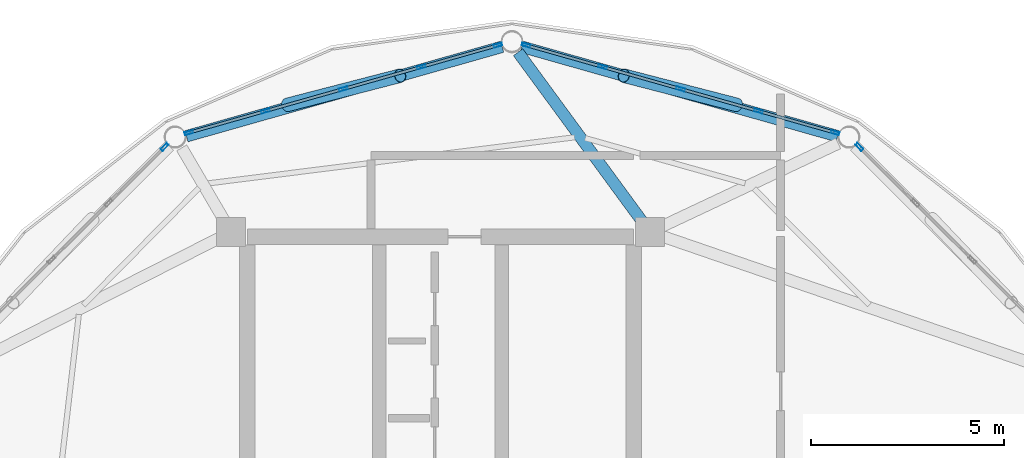
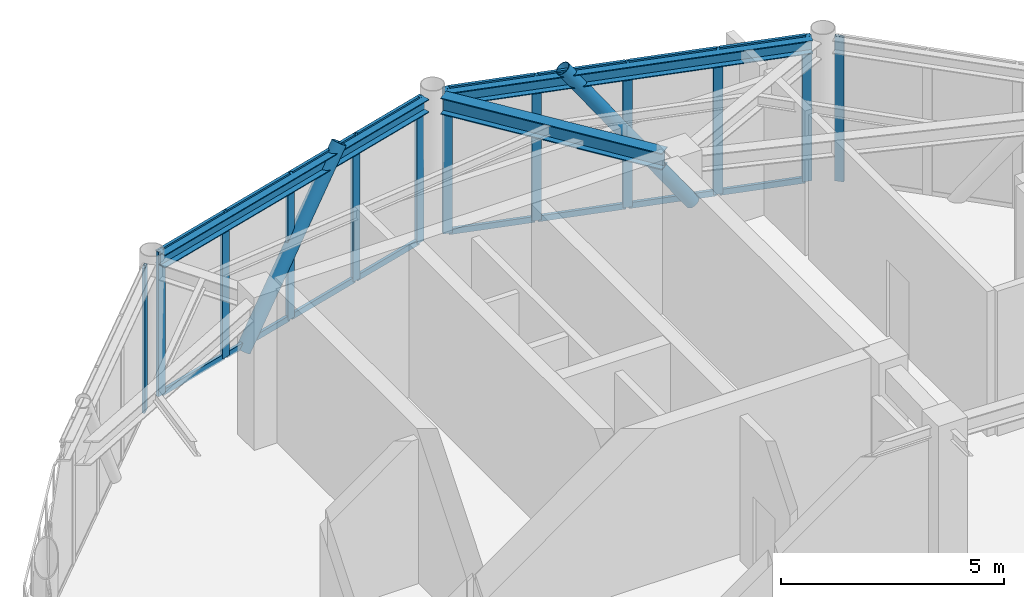
# One storey, part 15 of 21: 30 members, 3 beams, 4 elements without a shape of their own.
"""IFC4 building model written with IfcOpenShell, lengths in metres."""

from ifc_helpers import new_model, si_unit, direction, frame, origin, origin_2d, place, context, subcontext, project, spatial, hollow_rectangle, hollow_circle, i_section, extrude, material, layer, layer_set, material_profile, profile_set, type_object, element, aggregate, save


model = new_model("IFC4")

# Units and contexts
model_context = context("Model", 3, precision=1e-05, world=origin(), true_north=direction((0.0, 1.0)))
body_context = subcontext(model_context, "Body", "Model", "MODEL_VIEW")
ifc_project = project(units=[si_unit("LENGTHUNIT", "METRE"), si_unit("AREAUNIT", "SQUARE_METRE"), si_unit("VOLUMEUNIT", "CUBIC_METRE"), si_unit("PLANEANGLEUNIT", "RADIAN"), si_unit("MASSUNIT", "GRAM", prefix="KILO")], contexts=[model_context])

# Site, building, storey
site_placement = place(None, origin())
site = spatial("IfcSite", under=ifc_project, at=site_placement, CompositionType="ELEMENT")
building_placement = place(site_placement, origin())
building = spatial("IfcBuilding", under=site, at=building_placement, Name="Varnakorn Sky Granary", CompositionType="ELEMENT")
storey_placement = place(building_placement, frame((0.0, 0.0, 298.199951171875)))
storey = spatial("IfcBuildingStorey", under=building, at=storey_placement, Name="L76", CompositionType="ELEMENT", Elevation=298.199951171875)

# Beams
ifc_material_1 = material(Name="Steel S355JR", Category="steel")
ifc_material_profile_1 = material_profile(ifc_material_1, i_section(OverallWidth=0.300048828125, OverallDepth=0.449951171875, WebThickness=0.013916015625, FlangeThickness=0.02587890625, at=origin_2d()), Name="HE 450 B")
ifc_profile_set_1 = profile_set([ifc_material_profile_1], Name="Steel S355JR")
beam_type_1 = type_object("IfcBeamType", Name="BM-RAD-Z5", PredefinedType="BEAM", material=ifc_profile_set_1)
beam_placement = place(storey_placement, frame((8.2099609375, 12.90625, 3.735107421875), z_axis=(-0.591520006027, 0.806290321454, 0.0), x_axis=(-0.806290321454, -0.591520006027, 0.0)))
element("IfcBeam", 1, at=beam_placement, inside=storey, type_object=beam_type_1, Name="Radial Floor Girder RG04 L76", PredefinedType="BEAM", context=body_context, shape_type="SweptSolid", body=[
    extrude(i_section(OverallWidth=0.300048828125, OverallDepth=0.449951171875, WebThickness=0.013916015625, FlangeThickness=0.02587890625, at=origin_2d()), origin(), (0.0, 0.0, 1.0), 5.41552734375),
])
ifc_material_profile_2 = material_profile(ifc_material_1, i_section(OverallWidth=0.300048828125, OverallDepth=0.360107421875, WebThickness=0.012451171875, FlangeThickness=0.0224609375, at=origin_2d()), Name="HE 360 B")
ifc_profile_set_2 = profile_set([ifc_material_profile_2], Name="Steel S355JR")
beam_type_2 = type_object("IfcBeamType", Name="BM-SPD-Z5", PredefinedType="SPANDREL", material=ifc_profile_set_2)
for number, where, z_axis, x_axis, name in (
    (2, (13.2744140625, 15.098388671875, 3.780029296875), (-0.962107621006, 0.272669993952, 0.0), (-0.272669993952, -0.962107621006, 0.0), "Perimeter Spandrel Ring Beam RB03 L76"),
    (3, (4.595458984375, 17.413818359375, 3.780029296875), (-0.962107621006, -0.272669993952, 0.0), (0.272669993952, -0.962107621006, 0.0), "Perimeter Spandrel Ring Beam RB04 L76"),
):
    element("IfcBeam", number, at=place(storey_placement, frame(where, z_axis=z_axis, x_axis=x_axis)), inside=storey, type_object=beam_type_2, Name=name, PredefinedType="SPANDREL", context=body_context, shape_type="SweptSolid", body=[
        extrude(i_section(OverallWidth=0.300048828125, OverallDepth=0.360107421875, WebThickness=0.012451171875, FlangeThickness=0.0224609375, at=origin_2d()), origin(), (0.0, 0.0, 1.0), 8.49169921875),
    ])

# Curtain wall, member
ifc_material_2 = material(Name="Anodised Bronze Aluminium Alloy 6063-T6", Category="aluminium")
ifc_layer = layer(ifc_material_2, 0.22998046875, Name="Anodised Bronze Aluminium Alloy 6063-T6")
ifc_layer_set = layer_set([ifc_layer], Name="Anodised Bronze Aluminium Alloy 6063-T6")
curtain_wall_type = type_object("IfcCurtainWallType", Name="CW-LNT-1", PredefinedType="USERDEFINED", material=ifc_layer_set)
curtain_wall_1_placement = place(storey_placement, origin())
curtain_wall_1 = element("IfcCurtainWall", 4, at=curtain_wall_1_placement, inside=storey, type_object=curtain_wall_type, Name="Unitised Curtain Wall CW7 CW-L76-B02", ObjectType="CURTAIN WALL", PredefinedType="USERDEFINED")
ifc_material_profile_3 = material_profile(ifc_material_2, hollow_rectangle(XDim=0.074951171875, YDim=0.219970703125, WallThickness=0.00390625, at=origin_2d()), Name="ALU MULL 75x220")
ifc_profile_set_3 = profile_set([ifc_material_profile_3], Name="Anodised Bronze Aluminium Alloy 6063-T6")
member_type_1 = type_object("IfcMemberType", Name="CW-LNT-1-MULL", PredefinedType="MULLION", material=ifc_profile_set_3)
member_1_placement = place(storey_placement, frame((13.838623046875, 14.821533203125, 0.0), z_axis=(0.0, 0.0, 1.0), x_axis=(0.706663262546, 0.707550021813, 0.0)))
member_1 = element("IfcMember", 5, at=member_1_placement, type_object=member_type_1, Name="CW7 mullion 1", PredefinedType="MULLION", context=body_context, shape_type="SweptSolid", body=[
    extrude(hollow_rectangle(XDim=0.074951171875, YDim=0.219970703125, WallThickness=0.00390625, at=origin_2d()), origin(), (0.0, 0.0, 1.0), 3.9599609375),
])
aggregate(curtain_wall_1, [member_1])

# Curtain wall, members
curtain_wall_2_placement = place(storey_placement, origin())
curtain_wall_2 = element("IfcCurtainWall", 6, at=curtain_wall_2_placement, inside=storey, type_object=curtain_wall_type, Name="Unitised Curtain Wall CW7 CW-L76-B03", ObjectType="CURTAIN WALL", PredefinedType="USERDEFINED")
member_2_placement = place(storey_placement, frame((5.212890625, 17.454345703125, 0.0), z_axis=(0.0, 0.0, 1.0), x_axis=(0.272381418723, 0.962189359084, 0.0)))
member_2 = element("IfcMember", 7, at=member_2_placement, type_object=member_type_1, Name="CW7 mullion 1", PredefinedType="MULLION", context=body_context, shape_type="SweptSolid", body=[
    extrude(hollow_rectangle(XDim=0.074951171875, YDim=0.219970703125, WallThickness=0.00390625, at=origin_2d()), origin(), (0.0, 0.0, 1.0), 3.9599609375),
])
member_3_placement = place(storey_placement, frame((7.19384765625, 16.8935546875, 0.0), z_axis=(0.0, 0.0, 1.0), x_axis=(0.272381418723, 0.962189359084, 0.0)))
member_3 = element("IfcMember", 8, at=member_3_placement, type_object=member_type_1, Name="CW7 mullion 2", PredefinedType="MULLION", context=body_context, shape_type="SweptSolid", body=[
    extrude(hollow_rectangle(XDim=0.074951171875, YDim=0.219970703125, WallThickness=0.00390625, at=origin_2d()), origin(), (0.0, 0.0, 1.0), 3.9599609375),
])
member_4_placement = place(storey_placement, frame((9.2109375, 16.322509765625, 0.0), z_axis=(0.0, 0.0, 1.0), x_axis=(0.272381418723, 0.962189359084, 0.0)))
member_4 = element("IfcMember", 9, at=member_4_placement, type_object=member_type_1, Name="CW7 mullion 3", PredefinedType="MULLION", context=body_context, shape_type="SweptSolid", body=[
    extrude(hollow_rectangle(XDim=0.074951171875, YDim=0.219970703125, WallThickness=0.00390625, at=origin_2d()), origin(), (0.0, 0.0, 1.0), 3.9599609375),
])
member_5_placement = place(storey_placement, frame((11.228271484375, 15.75146484375, 0.0), z_axis=(0.0, 0.0, 1.0), x_axis=(0.272381418723, 0.962189359084, 0.0)))
member_5 = element("IfcMember", 10, at=member_5_placement, type_object=member_type_1, Name="CW7 mullion 4", PredefinedType="MULLION", context=body_context, shape_type="SweptSolid", body=[
    extrude(hollow_rectangle(XDim=0.074951171875, YDim=0.219970703125, WallThickness=0.00390625, at=origin_2d()), origin(), (0.0, 0.0, 1.0), 3.9599609375),
])
member_6_placement = place(storey_placement, frame((13.209228515625, 15.190673828125, 0.0), z_axis=(0.0, 0.0, 1.0), x_axis=(0.272381418723, 0.962189359084, 0.0)))
member_6 = element("IfcMember", 11, at=member_6_placement, type_object=member_type_1, Name="CW7 mullion 5", PredefinedType="MULLION", context=body_context, shape_type="SweptSolid", body=[
    extrude(hollow_rectangle(XDim=0.074951171875, YDim=0.219970703125, WallThickness=0.00390625, at=origin_2d()), origin(), (0.0, 0.0, 1.0), 3.9599609375),
])

curtain_wall_3_placement = place(storey_placement, origin())
curtain_wall_3 = element("IfcCurtainWall", 12, at=curtain_wall_3_placement, inside=storey, type_object=curtain_wall_type, Name="Unitised Curtain Wall CW7 CW-L76-B04", ObjectType="CURTAIN WALL", PredefinedType="USERDEFINED")
member_7_placement = place(storey_placement, frame((-3.50927734375, 15.190673828125, 0.0), z_axis=(0.0, 0.0, 1.0), x_axis=(-0.272381418723, 0.962189359084, 0.0)))
member_7 = element("IfcMember", 13, at=member_7_placement, type_object=member_type_1, Name="CW7 mullion 1", PredefinedType="MULLION", context=body_context, shape_type="SweptSolid", body=[
    extrude(hollow_rectangle(XDim=0.074951171875, YDim=0.219970703125, WallThickness=0.00390625, at=origin_2d()), origin(), (0.0, 0.0, 1.0), 3.9599609375),
])
member_8_placement = place(storey_placement, frame((-1.528076171875, 15.75146484375, 0.0), z_axis=(0.0, 0.0, 1.0), x_axis=(-0.272381418723, 0.962189359084, 0.0)))
member_8 = element("IfcMember", 14, at=member_8_placement, type_object=member_type_1, Name="CW7 mullion 2", PredefinedType="MULLION", context=body_context, shape_type="SweptSolid", body=[
    extrude(hollow_rectangle(XDim=0.074951171875, YDim=0.219970703125, WallThickness=0.00390625, at=origin_2d()), origin(), (0.0, 0.0, 1.0), 3.9599609375),
])
member_9_placement = place(storey_placement, frame((0.489013671875, 16.322509765625, 0.0), z_axis=(0.0, 0.0, 1.0), x_axis=(-0.272381418723, 0.962189359084, 0.0)))
member_9 = element("IfcMember", 15, at=member_9_placement, type_object=member_type_1, Name="CW7 mullion 3", PredefinedType="MULLION", context=body_context, shape_type="SweptSolid", body=[
    extrude(hollow_rectangle(XDim=0.074951171875, YDim=0.219970703125, WallThickness=0.00390625, at=origin_2d()), origin(), (0.0, 0.0, 1.0), 3.9599609375),
])
member_10_placement = place(storey_placement, frame((2.506103515625, 16.8935546875, 0.0), z_axis=(0.0, 0.0, 1.0), x_axis=(-0.272381418723, 0.962189359084, 0.0)))
member_10 = element("IfcMember", 16, at=member_10_placement, type_object=member_type_1, Name="CW7 mullion 4", PredefinedType="MULLION", context=body_context, shape_type="SweptSolid", body=[
    extrude(hollow_rectangle(XDim=0.074951171875, YDim=0.219970703125, WallThickness=0.00390625, at=origin_2d()), origin(), (0.0, 0.0, 1.0), 3.9599609375),
])
member_11_placement = place(storey_placement, frame((4.4873046875, 17.454345703125, 0.0), z_axis=(0.0, 0.0, 1.0), x_axis=(-0.272381418723, 0.962189359084, 0.0)))
member_11 = element("IfcMember", 17, at=member_11_placement, type_object=member_type_1, Name="CW7 mullion 5", PredefinedType="MULLION", context=body_context, shape_type="SweptSolid", body=[
    extrude(hollow_rectangle(XDim=0.074951171875, YDim=0.219970703125, WallThickness=0.00390625, at=origin_2d()), origin(), (0.0, 0.0, 1.0), 3.9599609375),
])

# Curtain wall, member
curtain_wall_4_placement = place(storey_placement, origin())
curtain_wall_4 = element("IfcCurtainWall", 18, at=curtain_wall_4_placement, inside=storey, type_object=curtain_wall_type, Name="Unitised Curtain Wall CW7 CW-L76-B05", ObjectType="CURTAIN WALL", PredefinedType="USERDEFINED")
member_12_placement = place(storey_placement, frame((-4.138671875, 14.821533203125, 0.0), z_axis=(0.0, 0.0, 1.0), x_axis=(-0.706663262546, 0.707550021813, 0.0)))
member_12 = element("IfcMember", 19, at=member_12_placement, type_object=member_type_1, Name="CW7 mullion 5", PredefinedType="MULLION", context=body_context, shape_type="SweptSolid", body=[
    extrude(hollow_rectangle(XDim=0.074951171875, YDim=0.219970703125, WallThickness=0.00390625, at=origin_2d()), origin(), (0.0, 0.0, 1.0), 3.9599609375),
])
aggregate(curtain_wall_4, [member_12])

# Member
ifc_material_profile_4 = material_profile(ifc_material_2, hollow_rectangle(XDim=0.074951171875, YDim=0.159912109375, WallThickness=0.00390625, at=origin_2d()), Name="ALU TRAN 75x160")
ifc_profile_set_4 = profile_set([ifc_material_profile_4], Name="Anodised Bronze Aluminium Alloy 6063-T6")
member_type_2 = type_object("IfcMemberType", Name="CW-LNT-1-TRAN", PredefinedType="USERDEFINED", material=ifc_profile_set_4)
member_13_placement = place(storey_placement, frame((5.248779296875, 17.444091796875, 0.03759765625), z_axis=(0.962203612173, -0.272331064553, 0.0), x_axis=(0.272331064553, 0.962203612173, 0.0)))
member_13 = element("IfcMember", 20, at=member_13_placement, type_object=member_type_2, Name="CW7 transom 1.1", ObjectType="TRANSOM", PredefinedType="USERDEFINED", context=body_context, shape_type="SweptSolid", body=[
    extrude(hollow_rectangle(XDim=0.074951171875, YDim=0.159912109375, WallThickness=0.00390625, at=origin_2d()), origin(), (0.0, 0.0, 1.0), 1.98388671875),
])

member_14_placement = place(storey_placement, frame((5.248779296875, 17.444091796875, 3.922607421875), z_axis=(0.962203612173, -0.272331064553, 0.0), x_axis=(0.272331064553, 0.962203612173, 0.0)))
member_14 = element("IfcMember", 21, at=member_14_placement, type_object=member_type_2, Name="CW7 transom 1.2", ObjectType="TRANSOM", PredefinedType="USERDEFINED", context=body_context, shape_type="SweptSolid", body=[
    extrude(hollow_rectangle(XDim=0.074951171875, YDim=0.159912109375, WallThickness=0.00390625, at=origin_2d()), origin(), (0.0, 0.0, 1.0), 1.98388671875),
])

member_15_placement = place(storey_placement, frame((7.22998046875, 16.88330078125, 0.03759765625), z_axis=(0.962191115172, -0.272375215254, 0.0), x_axis=(0.272375215254, 0.962191115172, 0.0)))
member_15 = element("IfcMember", 22, at=member_15_placement, type_object=member_type_2, Name="CW7 transom 2.1", ObjectType="TRANSOM", PredefinedType="USERDEFINED", context=body_context, shape_type="SweptSolid", body=[
    extrude(hollow_rectangle(XDim=0.074951171875, YDim=0.159912109375, WallThickness=0.00390625, at=origin_2d()), origin(), (0.0, 0.0, 1.0), 2.021240234375),
])

member_16_placement = place(storey_placement, frame((7.22998046875, 16.88330078125, 3.922607421875), z_axis=(0.962191115172, -0.272375215254, 0.0), x_axis=(0.272375215254, 0.962191115172, 0.0)))
member_16 = element("IfcMember", 23, at=member_16_placement, type_object=member_type_2, Name="CW7 transom 2.2", ObjectType="TRANSOM", PredefinedType="USERDEFINED", context=body_context, shape_type="SweptSolid", body=[
    extrude(hollow_rectangle(XDim=0.074951171875, YDim=0.159912109375, WallThickness=0.00390625, at=origin_2d()), origin(), (0.0, 0.0, 1.0), 2.021240234375),
])

member_17_placement = place(storey_placement, frame((9.2470703125, 16.312255859375, 0.03759765625), z_axis=(0.962200074604, -0.272343563227, 0.0), x_axis=(0.272343563227, 0.962200074604, 0.0)))
member_17 = element("IfcMember", 24, at=member_17_placement, type_object=member_type_2, Name="CW7 transom 3.1", ObjectType="TRANSOM", PredefinedType="USERDEFINED", context=body_context, shape_type="SweptSolid", body=[
    extrude(hollow_rectangle(XDim=0.074951171875, YDim=0.159912109375, WallThickness=0.00390625, at=origin_2d()), origin(), (0.0, 0.0, 1.0), 2.021484375),
])

member_18_placement = place(storey_placement, frame((9.2470703125, 16.312255859375, 3.922607421875), z_axis=(0.962200074604, -0.272343563227, 0.0), x_axis=(0.272343563227, 0.962200074604, 0.0)))
member_18 = element("IfcMember", 25, at=member_18_placement, type_object=member_type_2, Name="CW7 transom 3.2", ObjectType="TRANSOM", PredefinedType="USERDEFINED", context=body_context, shape_type="SweptSolid", body=[
    extrude(hollow_rectangle(XDim=0.074951171875, YDim=0.159912109375, WallThickness=0.00390625, at=origin_2d()), origin(), (0.0, 0.0, 1.0), 2.021484375),
])

member_19_placement = place(storey_placement, frame((11.26416015625, 15.7412109375, 0.03759765625), z_axis=(0.962203612173, -0.272331064553, 0.0), x_axis=(0.272331064553, 0.962203612173, 0.0)))
member_19 = element("IfcMember", 26, at=member_19_placement, type_object=member_type_2, Name="CW7 transom 4.1", ObjectType="TRANSOM", PredefinedType="USERDEFINED", context=body_context, shape_type="SweptSolid", body=[
    extrude(hollow_rectangle(XDim=0.074951171875, YDim=0.159912109375, WallThickness=0.00390625, at=origin_2d()), origin(), (0.0, 0.0, 1.0), 1.98388671875),
])

member_20_placement = place(storey_placement, frame((11.26416015625, 15.7412109375, 3.922607421875), z_axis=(0.962203612173, -0.272331064553, 0.0), x_axis=(0.272331064553, 0.962203612173, 0.0)))
member_20 = element("IfcMember", 27, at=member_20_placement, type_object=member_type_2, Name="CW7 transom 4.2", ObjectType="TRANSOM", PredefinedType="USERDEFINED", context=body_context, shape_type="SweptSolid", body=[
    extrude(hollow_rectangle(XDim=0.074951171875, YDim=0.159912109375, WallThickness=0.00390625, at=origin_2d()), origin(), (0.0, 0.0, 1.0), 1.98388671875),
])

aggregate(curtain_wall_2, [member_2, member_3, member_4, member_5, member_6, member_13, member_14, member_15, member_16, member_17, member_18, member_19, member_20])

member_21_placement = place(storey_placement, frame((-3.47314453125, 15.200927734375, 0.03759765625), z_axis=(0.962203612173, 0.272331064553, 0.0), x_axis=(-0.272331064553, 0.962203612173, 0.0)))
member_21 = element("IfcMember", 28, at=member_21_placement, type_object=member_type_2, Name="CW7 transom 1.1", ObjectType="TRANSOM", PredefinedType="USERDEFINED", context=body_context, shape_type="SweptSolid", body=[
    extrude(hollow_rectangle(XDim=0.074951171875, YDim=0.159912109375, WallThickness=0.00390625, at=origin_2d()), origin(), (0.0, 0.0, 1.0), 1.98388671875),
])

member_22_placement = place(storey_placement, frame((-3.47314453125, 15.200927734375, 3.922607421875), z_axis=(0.962203612173, 0.272331064553, 0.0), x_axis=(-0.272331064553, 0.962203612173, 0.0)))
member_22 = element("IfcMember", 29, at=member_22_placement, type_object=member_type_2, Name="CW7 transom 1.2", ObjectType="TRANSOM", PredefinedType="USERDEFINED", context=body_context, shape_type="SweptSolid", body=[
    extrude(hollow_rectangle(XDim=0.074951171875, YDim=0.159912109375, WallThickness=0.00390625, at=origin_2d()), origin(), (0.0, 0.0, 1.0), 1.98388671875),
])

member_23_placement = place(storey_placement, frame((-1.4921875, 15.76171875, 0.03759765625), z_axis=(0.962200074604, 0.272343563227, 0.0), x_axis=(-0.272343563227, 0.962200074604, 0.0)))
member_23 = element("IfcMember", 30, at=member_23_placement, type_object=member_type_2, Name="CW7 transom 2.1", ObjectType="TRANSOM", PredefinedType="USERDEFINED", context=body_context, shape_type="SweptSolid", body=[
    extrude(hollow_rectangle(XDim=0.074951171875, YDim=0.159912109375, WallThickness=0.00390625, at=origin_2d()), origin(), (0.0, 0.0, 1.0), 2.021484375),
])

member_24_placement = place(storey_placement, frame((-1.4921875, 15.76171875, 3.922607421875), z_axis=(0.962200074604, 0.272343563227, 0.0), x_axis=(-0.272343563227, 0.962200074604, 0.0)))
member_24 = element("IfcMember", 31, at=member_24_placement, type_object=member_type_2, Name="CW7 transom 2.2", ObjectType="TRANSOM", PredefinedType="USERDEFINED", context=body_context, shape_type="SweptSolid", body=[
    extrude(hollow_rectangle(XDim=0.074951171875, YDim=0.159912109375, WallThickness=0.00390625, at=origin_2d()), origin(), (0.0, 0.0, 1.0), 2.021484375),
])

member_25_placement = place(storey_placement, frame((0.525146484375, 16.332763671875, 0.03759765625), z_axis=(0.962191115172, 0.272375215254, 0.0), x_axis=(-0.272375215254, 0.962191115172, 0.0)))
member_25 = element("IfcMember", 32, at=member_25_placement, type_object=member_type_2, Name="CW7 transom 3.1", ObjectType="TRANSOM", PredefinedType="USERDEFINED", context=body_context, shape_type="SweptSolid", body=[
    extrude(hollow_rectangle(XDim=0.074951171875, YDim=0.159912109375, WallThickness=0.00390625, at=origin_2d()), origin(), (0.0, 0.0, 1.0), 2.021240234375),
])

member_26_placement = place(storey_placement, frame((0.525146484375, 16.332763671875, 3.922607421875), z_axis=(0.962191115172, 0.272375215254, 0.0), x_axis=(-0.272375215254, 0.962191115172, 0.0)))
member_26 = element("IfcMember", 33, at=member_26_placement, type_object=member_type_2, Name="CW7 transom 3.2", ObjectType="TRANSOM", PredefinedType="USERDEFINED", context=body_context, shape_type="SweptSolid", body=[
    extrude(hollow_rectangle(XDim=0.074951171875, YDim=0.159912109375, WallThickness=0.00390625, at=origin_2d()), origin(), (0.0, 0.0, 1.0), 2.021240234375),
])

member_27_placement = place(storey_placement, frame((2.542236328125, 16.90380859375, 0.03759765625), z_axis=(0.962203612173, 0.272331064553, 0.0), x_axis=(-0.272331064553, 0.962203612173, 0.0)))
member_27 = element("IfcMember", 34, at=member_27_placement, type_object=member_type_2, Name="CW7 transom 4.1", ObjectType="TRANSOM", PredefinedType="USERDEFINED", context=body_context, shape_type="SweptSolid", body=[
    extrude(hollow_rectangle(XDim=0.074951171875, YDim=0.159912109375, WallThickness=0.00390625, at=origin_2d()), origin(), (0.0, 0.0, 1.0), 1.98388671875),
])

member_28_placement = place(storey_placement, frame((2.542236328125, 16.90380859375, 3.922607421875), z_axis=(0.962203612173, 0.272331064553, 0.0), x_axis=(-0.272331064553, 0.962203612173, 0.0)))
member_28 = element("IfcMember", 35, at=member_28_placement, type_object=member_type_2, Name="CW7 transom 4.2", ObjectType="TRANSOM", PredefinedType="USERDEFINED", context=body_context, shape_type="SweptSolid", body=[
    extrude(hollow_rectangle(XDim=0.074951171875, YDim=0.159912109375, WallThickness=0.00390625, at=origin_2d()), origin(), (0.0, 0.0, 1.0), 1.98388671875),
])

aggregate(curtain_wall_3, [member_7, member_8, member_9, member_10, member_11, member_21, member_22, member_23, member_24, member_25, member_26, member_27, member_28])

# Members
ifc_material_3 = material(Name="Steel S460M", Category="steel")
ifc_material_profile_5 = material_profile(ifc_material_3, hollow_circle(Radius=0.177734375, WallThickness=0.01416015625, at=origin_2d()), Name="CHS 355.6x14")
ifc_profile_set_5 = profile_set([ifc_material_profile_5], Name="Steel S460M")
member_type_3 = type_object("IfcMemberType", Name="MB-DIAG-T5", PredefinedType="BRACE", material=ifc_profile_set_5)
for number, where, z_axis, x_axis, name in (
    (36, (10.664794921875, 15.910888671875, -0.1298828125), (-0.563194762976, 0.145551587724, 0.813404201039), (-0.250218091694, -0.968189499318, 0.0), "Perimeter CHS Diagrid Brace DG03 L76"),
    (37, (-0.964599609375, 15.910888671875, -0.1298828125), (0.563162629684, 0.145555445275, 0.813425758677), (-0.250237691453, 0.968184433761, 0.0), "Perimeter CHS Diagrid Brace DG04 L76"),
):
    element("IfcMember", number, at=place(storey_placement, frame(where, z_axis=z_axis, x_axis=x_axis)), inside=storey, type_object=member_type_3, Name=name, PredefinedType="BRACE", context=body_context, shape_type="SweptSolid", body=[
        extrude(hollow_circle(Radius=0.177734375, WallThickness=0.01416015625, at=origin_2d()), origin(), (0.0, 0.0, 1.0), 5.18798828125),
    ])

save(model, "model.ifc")
